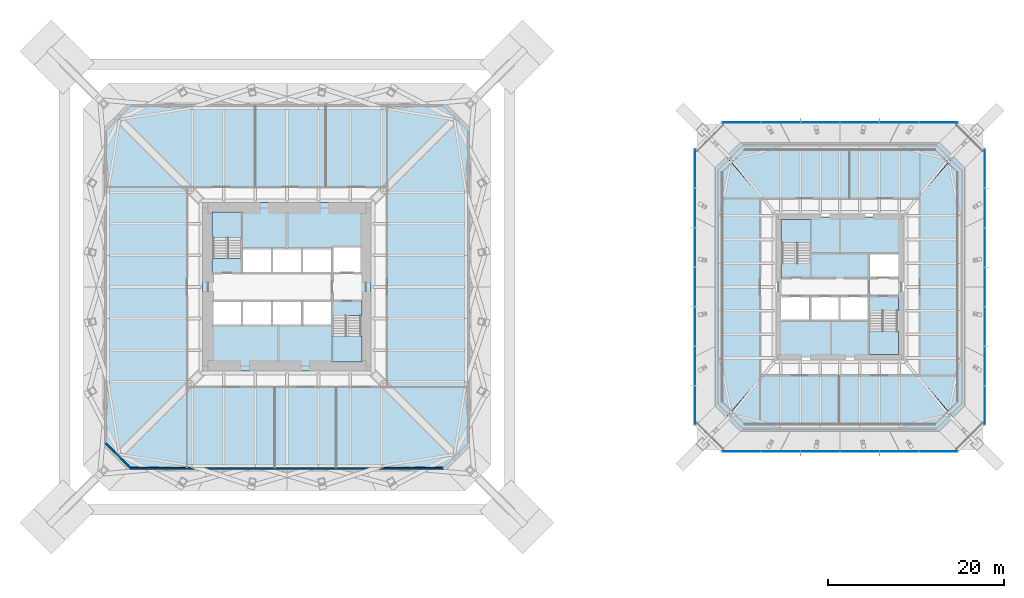
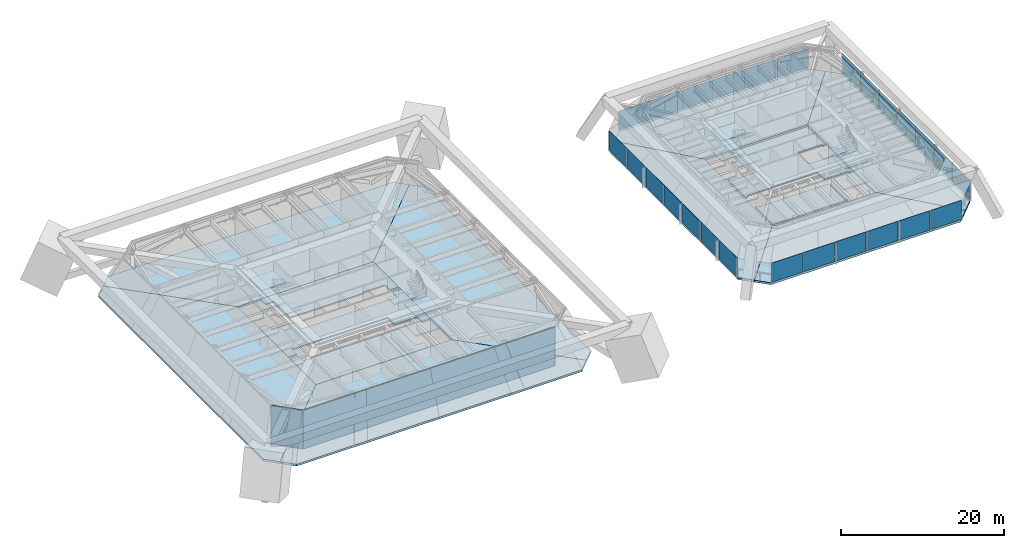
# One storey, part 8 of 16: 26 plates, 25 slabs, 2 walls, 8 elements without a shape of their own.
"""IFC4 building model written with IfcOpenShell, lengths in metres."""

from ifc_helpers import new_model, si_unit, direction, frame, frame_2d, origin, origin_2d, place, context, subcontext, project, spatial, polyline, rectangle, outline, extrude, material, layer, layer_set, constituent, constituent_set, type_object, element, aggregate, save


model = new_model("IFC4")

# Units and contexts
model_context = context("Model", 3, precision=1e-05, world=origin(), true_north=direction((0.0, 1.0)))
body_context = subcontext(model_context, "Body", "Model", "MODEL_VIEW")
ifc_project = project(units=[si_unit("LENGTHUNIT", "METRE"), si_unit("AREAUNIT", "SQUARE_METRE"), si_unit("VOLUMEUNIT", "CUBIC_METRE"), si_unit("PLANEANGLEUNIT", "RADIAN"), si_unit("MASSUNIT", "GRAM", prefix="KILO")], contexts=[model_context])

# Site, building, storey
site_placement = place(None, origin())
site = spatial("IfcSite", under=ifc_project, at=site_placement, CompositionType="ELEMENT")
building_placement = place(site_placement, origin())
building = spatial("IfcBuilding", under=site, at=building_placement, Name="Iwan Alto Co-Living Towers", CompositionType="ELEMENT")
storey_placement = place(building_placement, frame((0.0, 0.0, 74.5)))
storey = spatial("IfcBuildingStorey", under=building, at=storey_placement, Name="L20", CompositionType="ELEMENT", Elevation=74.5)

# Slabs
ifc_material_1 = material(Name="Concrete f'c 30 MPa", Category="concrete")
ifc_layer_1 = layer(ifc_material_1, 0.199951171875)
ifc_layer_set_1 = layer_set([ifc_layer_1], Name="CORE FLOOR SLAB 200")
slab_type_1 = type_object("IfcSlabType", Name="CORE FLOOR SLAB 200", PredefinedType="FLOOR", material=ifc_layer_set_1)
slab_1_placement = place(storey_placement, frame((0.0, 0.0, -0.199951171875)))
element("IfcSlab", 1, at=slab_1_placement, inside=storey, type_object=slab_type_1, Name="T1 core floor and outrigger diaphragm L20", PredefinedType="FLOOR", context=body_context, shape_type="SweptSolid", body=[
    extrude(outline(polyline([(8.39990234375, -3.27001953125), (5.14990234375, -3.27001953125), (5.14990234375, -1.60009765625), (1.72509765625, -1.60009765625), (-1.699951171875, -1.60009765625), (-5.125, -1.60009765625), (-8.39990234375, -1.60009765625), (-8.39990234375, -2.81005859375), (-9.60009765625, -2.81005859375), (-9.60009765625, 4.47998046875), (-8.39990234375, 4.47998046875), (-8.39990234375, 3.27001953125), (-5.14990234375, 3.27001953125), (-5.14990234375, 1.60009765625), (-1.717041015625, 1.60009765625), (1.717041015625, 1.60009765625), (5.14990234375, 1.60009765625), (8.39990234375, 1.60009765625), (8.39990234375, 2.81005859375), (9.60009765625, 2.81005859375), (9.60009765625, -4.47998046875), (8.39990234375, -4.47998046875), (8.39990234375, -3.27001953125)])), origin(), (0.0, 0.0, 1.0), 0.199951171875),
])
slab_2_placement = place(storey_placement, frame((0.0, 0.0, -0.199951171875)))
element("IfcSlab", 2, at=slab_2_placement, inside=storey, type_object=slab_type_1, Name="T1 core floor and outrigger diaphragm L20", PredefinedType="FLOOR", context=body_context, shape_type="SweptSolid", body=[
    extrude(outline(polyline([(-1.699951171875, -4.39990234375), (1.72509765625, -4.39990234375), (5.14990234375, -4.39990234375), (5.14990234375, -8.39990234375), (6.360107421875, -8.39990234375), (6.360107421875, -9.60009765625), (-9.60009765625, -9.60009765625), (-9.60009765625, -3.18994140625), (-8.39990234375, -3.18994140625), (-8.39990234375, -4.39990234375), (-5.125, -4.39990234375), (-1.699951171875, -4.39990234375)])), origin(), (0.0, 0.0, 1.0), 0.199951171875),
])
slab_3_placement = place(storey_placement, frame((0.0, 0.0, -0.199951171875)))
element("IfcSlab", 3, at=slab_3_placement, inside=storey, type_object=slab_type_1, Name="T1 core floor and outrigger diaphragm L20", PredefinedType="FLOOR", context=body_context, shape_type="SweptSolid", body=[
    extrude(outline(polyline([(1.717041015625, 4.39990234375), (-1.717041015625, 4.39990234375), (-5.14990234375, 4.39990234375), (-5.14990234375, 8.39990234375), (-6.360107421875, 8.39990234375), (-6.360107421875, 9.60009765625), (9.60009765625, 9.60009765625), (9.60009765625, 3.389892578125), (8.39990234375, 3.389892578125), (8.39990234375, 4.60009765625), (5.14990234375, 4.60009765625), (5.14990234375, 4.39990234375), (1.717041015625, 4.39990234375)])), origin(), (0.0, 0.0, 1.0), 0.199951171875),
])
slab_4_placement = place(storey_placement, frame((0.0, 0.0, -0.199951171875)))
element("IfcSlab", 4, at=slab_4_placement, inside=storey, type_object=slab_type_1, Name="T2 core floor L20", PredefinedType="FLOOR", context=body_context, shape_type="SweptSolid", body=[
    extrude(outline(polyline([(70.0, -3.030029296875), (69.699951171875, -3.030029296875), (69.699951171875, -2.719970703125), (66.300048828125, -2.719970703125), (66.300048828125, -1.050048828125), (62.967041015625, -1.050048828125), (59.633056640625, -1.050048828125), (56.300048828125, -1.050048828125), (56.300048828125, -1.360107421875), (56.0, -1.360107421875), (56.0, 3.030029296875), (56.300048828125, 3.030029296875), (56.300048828125, 2.719970703125), (59.699951171875, 2.719970703125), (59.699951171875, 7.699951171875), (59.389892578125, 7.699951171875), (59.389892578125, 8.0), (70.0, 8.0), (70.0, 3.5400390625), (69.699951171875, 3.5400390625), (69.699951171875, 3.85009765625), (66.300048828125, 3.85009765625), (66.300048828125, 1.050048828125), (69.699951171875, 1.050048828125), (69.699951171875, 1.360107421875), (70.0, 1.360107421875), (70.0, -3.030029296875)])), origin(), (0.0, 0.0, 1.0), 0.199951171875),
])
slab_5_placement = place(storey_placement, frame((0.0, 0.0, -0.199951171875)))
element("IfcSlab", 5, at=slab_5_placement, inside=storey, type_object=slab_type_1, Name="T2 core floor L20", PredefinedType="FLOOR", context=body_context, shape_type="SweptSolid", body=[
    extrude(outline(polyline([(62.967041015625, -3.85009765625), (66.300048828125, -3.85009765625), (66.300048828125, -7.699951171875), (66.610107421875, -7.699951171875), (66.610107421875, -8.0), (56.0, -8.0), (56.0, -3.5400390625), (56.300048828125, -3.5400390625), (56.300048828125, -3.85009765625), (59.633056640625, -3.85009765625), (62.967041015625, -3.85009765625)])), origin(), (0.0, 0.0, 1.0), 0.199951171875),
])

# Curtain wall, plates
ifc_material_2 = material(Name="Bronze aluminium unitised frame", Category="aluminium")
curtain_wall_type = type_object("IfcCurtainWallType", Name="CURTAIN WALL CW-C", PredefinedType="NOTDEFINED", material=ifc_material_2)
curtain_wall_1_placement = place(storey_placement, origin())
curtain_wall_1 = element("IfcCurtainWall", 6, at=curtain_wall_1_placement, inside=storey, type_object=curtain_wall_type, Name="T2 curtain wall S L20", PredefinedType="NOTDEFINED")
ifc_material_3 = material(Name="Bronze-tinted insulating glass", Category="glass")
ifc_layer_2 = layer(ifc_material_3, 0.031982421875)
ifc_layer_set_2 = layer_set([ifc_layer_2], Name="CW-C PANEL TINTED IGU 32")
plate_type = type_object("IfcPlateType", Name="CW-C PANEL TINTED IGU 32", PredefinedType="CURTAIN_PANEL", material=ifc_layer_set_2)
plate_1_placement = place(storey_placement, frame((51.77001953125, -18.75, 0.10009765625), z_axis=(0.0, 0.0, 1.0), x_axis=(1.0, 0.0, 0.0)))
plate_1 = element("IfcPlate", 7, at=plate_1_placement, type_object=plate_type, Name="CW-C panel 1.1", PredefinedType="CURTAIN_PANEL", context=body_context, shape_type="SweptSolid", body=[
    extrude(rectangle(XDim=4.3798828125, YDim=0.031982421875, at=origin_2d()), origin(), (0.0, 0.0, 1.0), 2.89990234375),
])
plate_2_placement = place(storey_placement, frame((56.25, -18.75, 0.10009765625), z_axis=(0.0, 0.0, 1.0), x_axis=(1.0, 0.0, 0.0)))
plate_2 = element("IfcPlate", 8, at=plate_2_placement, type_object=plate_type, Name="CW-C panel 2.1", PredefinedType="CURTAIN_PANEL", context=body_context, shape_type="SweptSolid", body=[
    extrude(rectangle(XDim=4.419921875, YDim=0.031982421875, at=origin_2d()), origin(), (0.0, 0.0, 1.0), 2.89990234375),
])
plate_3_placement = place(storey_placement, frame((60.75, -18.75, 0.10009765625), z_axis=(0.0, 0.0, 1.0), x_axis=(1.0, 0.0, 0.0)))
plate_3 = element("IfcPlate", 9, at=plate_3_placement, type_object=plate_type, Name="CW-C panel 3.1", PredefinedType="CURTAIN_PANEL", context=body_context, shape_type="SweptSolid", body=[
    extrude(rectangle(XDim=4.419921875, YDim=0.031982421875, at=origin_2d()), origin(), (0.0, 0.0, 1.0), 2.89990234375),
])
plate_4_placement = place(storey_placement, frame((65.25, -18.75, 0.10009765625), z_axis=(0.0, 0.0, 1.0), x_axis=(1.0, 0.0, 0.0)))
plate_4 = element("IfcPlate", 10, at=plate_4_placement, type_object=plate_type, Name="CW-C panel 4.1", PredefinedType="CURTAIN_PANEL", context=body_context, shape_type="SweptSolid", body=[
    extrude(rectangle(XDim=4.419921875, YDim=0.031982421875, at=origin_2d()), origin(), (0.0, 0.0, 1.0), 2.89990234375),
])
plate_5_placement = place(storey_placement, frame((69.75, -18.75, 0.10009765625), z_axis=(0.0, 0.0, 1.0), x_axis=(1.0, 0.0, 0.0)))
plate_5 = element("IfcPlate", 11, at=plate_5_placement, type_object=plate_type, Name="CW-C panel 5.1", PredefinedType="CURTAIN_PANEL", context=body_context, shape_type="SweptSolid", body=[
    extrude(rectangle(XDim=4.419921875, YDim=0.031982421875, at=origin_2d()), origin(), (0.0, 0.0, 1.0), 2.89990234375),
])
plate_6_placement = place(storey_placement, frame((74.22998046875, -18.75, 0.10009765625), z_axis=(0.0, 0.0, 1.0), x_axis=(1.0, 0.0, 0.0)))
plate_6 = element("IfcPlate", 12, at=plate_6_placement, type_object=plate_type, Name="CW-C panel 6.1", PredefinedType="CURTAIN_PANEL", context=body_context, shape_type="SweptSolid", body=[
    extrude(rectangle(XDim=4.3798828125, YDim=0.031982421875, at=origin_2d()), origin(), (0.0, 0.0, 1.0), 2.89990234375),
])
aggregate(curtain_wall_1, [plate_1, plate_2, plate_3, plate_4, plate_5, plate_6])

curtain_wall_2_placement = place(storey_placement, origin())
curtain_wall_2 = element("IfcCurtainWall", 13, at=curtain_wall_2_placement, inside=storey, type_object=curtain_wall_type, Name="T2 curtain wall E L20", PredefinedType="NOTDEFINED")
plate_7_placement = place(storey_placement, frame((79.5, -13.47998046875, 0.10009765625), z_axis=(0.0, 0.0, 1.0), x_axis=(0.0, 1.0, 0.0)))
plate_7 = element("IfcPlate", 14, at=plate_7_placement, type_object=plate_type, Name="CW-C panel 1.1", PredefinedType="CURTAIN_PANEL", context=body_context, shape_type="SweptSolid", body=[
    extrude(rectangle(XDim=4.3798828125, YDim=0.031982421875, at=origin_2d()), origin(), (0.0, 0.0, 1.0), 2.89990234375),
])
plate_8_placement = place(storey_placement, frame((79.5, -9.0, 0.10009765625), z_axis=(0.0, 0.0, 1.0), x_axis=(0.0, 1.0, 0.0)))
plate_8 = element("IfcPlate", 15, at=plate_8_placement, type_object=plate_type, Name="CW-C panel 2.1", PredefinedType="CURTAIN_PANEL", context=body_context, shape_type="SweptSolid", body=[
    extrude(rectangle(XDim=4.419921875, YDim=0.031982421875, at=origin_2d()), origin(), (0.0, 0.0, 1.0), 2.89990234375),
])
plate_9_placement = place(storey_placement, frame((79.5, -4.5, 0.10009765625), z_axis=(0.0, 0.0, 1.0), x_axis=(0.0, 1.0, 0.0)))
plate_9 = element("IfcPlate", 16, at=plate_9_placement, type_object=plate_type, Name="CW-C panel 3.1", PredefinedType="CURTAIN_PANEL", context=body_context, shape_type="SweptSolid", body=[
    extrude(rectangle(XDim=4.419921875, YDim=0.031982421875, at=origin_2d()), origin(), (0.0, 0.0, 1.0), 2.89990234375),
])
plate_10_placement = place(storey_placement, frame((79.5, 0.0, 0.10009765625), z_axis=(0.0, 0.0, 1.0), x_axis=(0.0, 1.0, 0.0)))
plate_10 = element("IfcPlate", 17, at=plate_10_placement, type_object=plate_type, Name="CW-C panel 4.1", PredefinedType="CURTAIN_PANEL", context=body_context, shape_type="SweptSolid", body=[
    extrude(rectangle(XDim=4.419921875, YDim=0.031982421875, at=origin_2d()), origin(), (0.0, 0.0, 1.0), 2.89990234375),
])
plate_11_placement = place(storey_placement, frame((79.5, 4.5, 0.10009765625), z_axis=(0.0, 0.0, 1.0), x_axis=(0.0, 1.0, 0.0)))
plate_11 = element("IfcPlate", 18, at=plate_11_placement, type_object=plate_type, Name="CW-C panel 5.1", PredefinedType="CURTAIN_PANEL", context=body_context, shape_type="SweptSolid", body=[
    extrude(rectangle(XDim=4.419921875, YDim=0.031982421875, at=origin_2d()), origin(), (0.0, 0.0, 1.0), 2.89990234375),
])
plate_12_placement = place(storey_placement, frame((79.5, 9.0, 0.10009765625), z_axis=(0.0, 0.0, 1.0), x_axis=(0.0, 1.0, 0.0)))
plate_12 = element("IfcPlate", 19, at=plate_12_placement, type_object=plate_type, Name="CW-C panel 6.1", PredefinedType="CURTAIN_PANEL", context=body_context, shape_type="SweptSolid", body=[
    extrude(rectangle(XDim=4.419921875, YDim=0.031982421875, at=origin_2d()), origin(), (0.0, 0.0, 1.0), 2.89990234375),
])
plate_13_placement = place(storey_placement, frame((79.5, 13.47998046875, 0.10009765625), z_axis=(0.0, 0.0, 1.0), x_axis=(0.0, 1.0, 0.0)))
plate_13 = element("IfcPlate", 20, at=plate_13_placement, type_object=plate_type, Name="CW-C panel 7.1", PredefinedType="CURTAIN_PANEL", context=body_context, shape_type="SweptSolid", body=[
    extrude(rectangle(XDim=4.3798828125, YDim=0.031982421875, at=origin_2d()), origin(), (0.0, 0.0, 1.0), 2.89990234375),
])
aggregate(curtain_wall_2, [plate_7, plate_8, plate_9, plate_10, plate_11, plate_12, plate_13])

curtain_wall_3_placement = place(storey_placement, origin())
curtain_wall_3 = element("IfcCurtainWall", 21, at=curtain_wall_3_placement, inside=storey, type_object=curtain_wall_type, Name="T2 curtain wall N L20", PredefinedType="NOTDEFINED")
plate_14_placement = place(storey_placement, frame((74.22998046875, 18.75, 0.10009765625), z_axis=(0.0, 0.0, 1.0), x_axis=(-1.0, 0.0, 0.0)))
plate_14 = element("IfcPlate", 22, at=plate_14_placement, type_object=plate_type, Name="CW-C panel 1.1", PredefinedType="CURTAIN_PANEL", context=body_context, shape_type="SweptSolid", body=[
    extrude(rectangle(XDim=4.3798828125, YDim=0.031982421875, at=origin_2d()), origin(), (0.0, 0.0, 1.0), 2.89990234375),
])
plate_15_placement = place(storey_placement, frame((69.75, 18.75, 0.10009765625), z_axis=(0.0, 0.0, 1.0), x_axis=(-1.0, 0.0, 0.0)))
plate_15 = element("IfcPlate", 23, at=plate_15_placement, type_object=plate_type, Name="CW-C panel 2.1", PredefinedType="CURTAIN_PANEL", context=body_context, shape_type="SweptSolid", body=[
    extrude(rectangle(XDim=4.419921875, YDim=0.031982421875, at=origin_2d()), origin(), (0.0, 0.0, 1.0), 2.89990234375),
])
plate_16_placement = place(storey_placement, frame((65.25, 18.75, 0.10009765625), z_axis=(0.0, 0.0, 1.0), x_axis=(-1.0, 0.0, 0.0)))
plate_16 = element("IfcPlate", 24, at=plate_16_placement, type_object=plate_type, Name="CW-C panel 3.1", PredefinedType="CURTAIN_PANEL", context=body_context, shape_type="SweptSolid", body=[
    extrude(rectangle(XDim=4.419921875, YDim=0.031982421875, at=origin_2d()), origin(), (0.0, 0.0, 1.0), 2.89990234375),
])
plate_17_placement = place(storey_placement, frame((60.75, 18.75, 0.10009765625), z_axis=(0.0, 0.0, 1.0), x_axis=(-1.0, 0.0, 0.0)))
plate_17 = element("IfcPlate", 25, at=plate_17_placement, type_object=plate_type, Name="CW-C panel 4.1", PredefinedType="CURTAIN_PANEL", context=body_context, shape_type="SweptSolid", body=[
    extrude(rectangle(XDim=4.419921875, YDim=0.031982421875, at=origin_2d()), origin(), (0.0, 0.0, 1.0), 2.89990234375),
])
plate_18_placement = place(storey_placement, frame((56.25, 18.75, 0.10009765625), z_axis=(0.0, 0.0, 1.0), x_axis=(-1.0, 0.0, 0.0)))
plate_18 = element("IfcPlate", 26, at=plate_18_placement, type_object=plate_type, Name="CW-C panel 5.1", PredefinedType="CURTAIN_PANEL", context=body_context, shape_type="SweptSolid", body=[
    extrude(rectangle(XDim=4.419921875, YDim=0.031982421875, at=origin_2d()), origin(), (0.0, 0.0, 1.0), 2.89990234375),
])
plate_19_placement = place(storey_placement, frame((51.77001953125, 18.75, 0.10009765625), z_axis=(0.0, 0.0, 1.0), x_axis=(-1.0, 0.0, 0.0)))
plate_19 = element("IfcPlate", 27, at=plate_19_placement, type_object=plate_type, Name="CW-C panel 6.1", PredefinedType="CURTAIN_PANEL", context=body_context, shape_type="SweptSolid", body=[
    extrude(rectangle(XDim=4.3798828125, YDim=0.031982421875, at=origin_2d()), origin(), (0.0, 0.0, 1.0), 2.89990234375),
])
aggregate(curtain_wall_3, [plate_14, plate_15, plate_16, plate_17, plate_18, plate_19])

curtain_wall_4_placement = place(storey_placement, origin())
curtain_wall_4 = element("IfcCurtainWall", 28, at=curtain_wall_4_placement, inside=storey, type_object=curtain_wall_type, Name="T2 curtain wall W L20", PredefinedType="NOTDEFINED")
plate_20_placement = place(storey_placement, frame((46.5, 13.47998046875, 0.10009765625), z_axis=(0.0, 0.0, 1.0), x_axis=(0.0, -1.0, 0.0)))
plate_20 = element("IfcPlate", 29, at=plate_20_placement, type_object=plate_type, Name="CW-C panel 1.1", PredefinedType="CURTAIN_PANEL", context=body_context, shape_type="SweptSolid", body=[
    extrude(rectangle(XDim=4.3798828125, YDim=0.031982421875, at=origin_2d()), origin(), (0.0, 0.0, 1.0), 2.89990234375),
])
plate_21_placement = place(storey_placement, frame((46.5, 9.0, 0.10009765625), z_axis=(0.0, 0.0, 1.0), x_axis=(0.0, -1.0, 0.0)))
plate_21 = element("IfcPlate", 30, at=plate_21_placement, type_object=plate_type, Name="CW-C panel 2.1", PredefinedType="CURTAIN_PANEL", context=body_context, shape_type="SweptSolid", body=[
    extrude(rectangle(XDim=4.419921875, YDim=0.031982421875, at=origin_2d()), origin(), (0.0, 0.0, 1.0), 2.89990234375),
])
plate_22_placement = place(storey_placement, frame((46.5, 4.5, 0.10009765625), z_axis=(0.0, 0.0, 1.0), x_axis=(0.0, -1.0, 0.0)))
plate_22 = element("IfcPlate", 31, at=plate_22_placement, type_object=plate_type, Name="CW-C panel 3.1", PredefinedType="CURTAIN_PANEL", context=body_context, shape_type="SweptSolid", body=[
    extrude(rectangle(XDim=4.419921875, YDim=0.031982421875, at=origin_2d()), origin(), (0.0, 0.0, 1.0), 2.89990234375),
])
plate_23_placement = place(storey_placement, frame((46.5, 0.0, 0.10009765625), z_axis=(0.0, 0.0, 1.0), x_axis=(0.0, -1.0, 0.0)))
plate_23 = element("IfcPlate", 32, at=plate_23_placement, type_object=plate_type, Name="CW-C panel 4.1", PredefinedType="CURTAIN_PANEL", context=body_context, shape_type="SweptSolid", body=[
    extrude(rectangle(XDim=4.419921875, YDim=0.031982421875, at=origin_2d()), origin(), (0.0, 0.0, 1.0), 2.89990234375),
])
plate_24_placement = place(storey_placement, frame((46.5, -4.5, 0.10009765625), z_axis=(0.0, 0.0, 1.0), x_axis=(0.0, -1.0, 0.0)))
plate_24 = element("IfcPlate", 33, at=plate_24_placement, type_object=plate_type, Name="CW-C panel 5.1", PredefinedType="CURTAIN_PANEL", context=body_context, shape_type="SweptSolid", body=[
    extrude(rectangle(XDim=4.419921875, YDim=0.031982421875, at=origin_2d()), origin(), (0.0, 0.0, 1.0), 2.89990234375),
])
plate_25_placement = place(storey_placement, frame((46.5, -9.0, 0.10009765625), z_axis=(0.0, 0.0, 1.0), x_axis=(0.0, -1.0, 0.0)))
plate_25 = element("IfcPlate", 34, at=plate_25_placement, type_object=plate_type, Name="CW-C panel 6.1", PredefinedType="CURTAIN_PANEL", context=body_context, shape_type="SweptSolid", body=[
    extrude(rectangle(XDim=4.419921875, YDim=0.031982421875, at=origin_2d()), origin(), (0.0, 0.0, 1.0), 2.89990234375),
])
plate_26_placement = place(storey_placement, frame((46.5, -13.47998046875, 0.10009765625), z_axis=(0.0, 0.0, 1.0), x_axis=(0.0, -1.0, 0.0)))
plate_26 = element("IfcPlate", 35, at=plate_26_placement, type_object=plate_type, Name="CW-C panel 7.1", PredefinedType="CURTAIN_PANEL", context=body_context, shape_type="SweptSolid", body=[
    extrude(rectangle(XDim=4.3798828125, YDim=0.031982421875, at=origin_2d()), origin(), (0.0, 0.0, 1.0), 2.89990234375),
])
aggregate(curtain_wall_4, [plate_20, plate_21, plate_22, plate_23, plate_24, plate_25, plate_26])

# Stair, slabs
ifc_material_4 = material(Name="Steel ASTM A36", Category="steel")
ifc_constituent_1 = constituent(ifc_material_4, Name="Stringers", Category="LoadBearing")
ifc_material_5 = material(Name="Concrete f'c 30 MPa", Category="concrete")
ifc_constituent_2 = constituent(ifc_material_5, Name="Tread fill", Category="Finish")
ifc_constituent_set_1 = constituent_set(constituents=[ifc_constituent_1, ifc_constituent_2], Name="STAIR 6000 FOUR-FLIGHT T1 CORE")
stair_type_1 = type_object("IfcStairType", Name="STAIR 6000 FOUR-FLIGHT T1 CORE", PredefinedType="HALF_TURN_STAIR", material=ifc_constituent_set_1)
stair_1_placement = place(storey_placement, origin())
stair_1 = element("IfcStair", 36, at=stair_1_placement, inside=storey, type_object=stair_type_1, Name="Stair T1-S1 L20 to L21", PredefinedType="HALF_TURN_STAIR")
ifc_material_6 = material(Name="Concrete f'c 30 MPa", Category="concrete")
ifc_layer_3 = layer(ifc_material_6, 0.199951171875)
ifc_layer_set_3 = layer_set([ifc_layer_3], Name="STAIR LANDING 200")
slab_type_2 = type_object("IfcSlabType", Name="STAIR LANDING 200", PredefinedType="LANDING", material=ifc_layer_set_3)
slab_6_placement = place(storey_placement, frame((0.0, 0.0, 1.300048828125)))
slab_6 = element("IfcSlab", 37, at=slab_6_placement, type_object=slab_type_2, Name="T1-S1 landing 1", PredefinedType="LANDING", context=body_context, shape_type="SweptSolid", body=[
    extrude(outline(polyline([(-8.550048828125, 5.570068359375), (-8.550048828125, 8.550048828125), (-5.14990234375, 8.550048828125), (-5.14990234375, 5.570068359375), (-8.550048828125, 5.570068359375)])), origin(), (0.0, 0.0, 1.0), 0.199951171875),
])
slab_7_placement = place(storey_placement, frame((0.0, 0.0, 2.800048828125)))
slab_7 = element("IfcSlab", 38, at=slab_7_placement, type_object=slab_type_2, Name="T1-S1 landing 2", PredefinedType="LANDING", context=body_context, shape_type="SweptSolid", body=[
    extrude(outline(polyline([(-8.550048828125, 1.60009765625), (-8.550048828125, 3.27001953125), (-5.14990234375, 3.27001953125), (-5.14990234375, 1.60009765625), (-8.550048828125, 1.60009765625)])), origin(), (0.0, 0.0, 1.0), 0.199951171875),
])
slab_8_placement = place(storey_placement, frame((0.0, 0.0, 4.300048828125)))
slab_8 = element("IfcSlab", 39, at=slab_8_placement, type_object=slab_type_2, Name="T1-S1 landing 3", PredefinedType="LANDING", context=body_context, shape_type="SweptSolid", body=[
    extrude(outline(polyline([(-8.550048828125, 5.570068359375), (-8.550048828125, 8.550048828125), (-5.14990234375, 8.550048828125), (-5.14990234375, 5.570068359375), (-8.550048828125, 5.570068359375)])), origin(), (0.0, 0.0, 1.0), 0.199951171875),
])
aggregate(stair_1, [slab_6, slab_7, slab_8])

stair_2_placement = place(storey_placement, origin())
stair_2 = element("IfcStair", 40, at=stair_2_placement, inside=storey, type_object=stair_type_1, Name="Stair T1-S2 L20 to L21", PredefinedType="HALF_TURN_STAIR")
slab_9_placement = place(storey_placement, frame((0.0, 0.0, 1.300048828125)))
slab_9 = element("IfcSlab", 41, at=slab_9_placement, type_object=slab_type_2, Name="T1-S2 landing 1", PredefinedType="LANDING", context=body_context, shape_type="SweptSolid", body=[
    extrude(outline(polyline([(5.14990234375, -5.570068359375), (5.14990234375, -8.550048828125), (8.550048828125, -8.550048828125), (8.550048828125, -5.570068359375), (5.14990234375, -5.570068359375)])), origin(), (0.0, 0.0, 1.0), 0.199951171875),
])
slab_10_placement = place(storey_placement, frame((0.0, 0.0, 2.800048828125)))
slab_10 = element("IfcSlab", 42, at=slab_10_placement, type_object=slab_type_2, Name="T1-S2 landing 2", PredefinedType="LANDING", context=body_context, shape_type="SweptSolid", body=[
    extrude(outline(polyline([(5.14990234375, -1.60009765625), (5.14990234375, -3.27001953125), (8.550048828125, -3.27001953125), (8.550048828125, -1.60009765625), (5.14990234375, -1.60009765625)])), origin(), (0.0, 0.0, 1.0), 0.199951171875),
])
slab_11_placement = place(storey_placement, frame((0.0, 0.0, 4.300048828125)))
slab_11 = element("IfcSlab", 43, at=slab_11_placement, type_object=slab_type_2, Name="T1-S2 landing 3", PredefinedType="LANDING", context=body_context, shape_type="SweptSolid", body=[
    extrude(outline(polyline([(5.14990234375, -5.570068359375), (5.14990234375, -8.550048828125), (8.550048828125, -8.550048828125), (8.550048828125, -5.570068359375), (5.14990234375, -5.570068359375)])), origin(), (0.0, 0.0, 1.0), 0.199951171875),
])
aggregate(stair_2, [slab_9, slab_10, slab_11])

ifc_constituent_3 = constituent(ifc_material_4, Name="Stringers", Category="LoadBearing")
ifc_constituent_4 = constituent(ifc_material_5, Name="Tread fill", Category="Finish")
ifc_constituent_set_2 = constituent_set(constituents=[ifc_constituent_3, ifc_constituent_4], Name="STAIR 6000 FOUR-FLIGHT T2 CORE")
stair_type_2 = type_object("IfcStairType", Name="STAIR 6000 FOUR-FLIGHT T2 CORE", PredefinedType="HALF_TURN_STAIR", material=ifc_constituent_set_2)
stair_3_placement = place(storey_placement, origin())
stair_3 = element("IfcStair", 44, at=stair_3_placement, inside=storey, type_object=stair_type_2, Name="Stair T2-S1 L20 to L21", PredefinedType="HALF_TURN_STAIR")
slab_12_placement = place(storey_placement, frame((0.0, 0.0, 1.300048828125)))
slab_12 = element("IfcSlab", 45, at=slab_12_placement, type_object=slab_type_2, Name="T2-S1 landing 1", PredefinedType="LANDING", context=body_context, shape_type="SweptSolid", body=[
    extrude(outline(polyline([(56.300048828125, 5.02001953125), (56.300048828125, 7.699951171875), (59.699951171875, 7.699951171875), (59.699951171875, 5.02001953125), (56.300048828125, 5.02001953125)])), origin(), (0.0, 0.0, 1.0), 0.199951171875),
])
slab_13_placement = place(storey_placement, frame((0.0, 0.0, 2.800048828125)))
slab_13 = element("IfcSlab", 46, at=slab_13_placement, type_object=slab_type_2, Name="T2-S1 landing 2", PredefinedType="LANDING", context=body_context, shape_type="SweptSolid", body=[
    extrude(outline(polyline([(56.300048828125, 1.050048828125), (56.300048828125, 2.719970703125), (59.699951171875, 2.719970703125), (59.699951171875, 1.050048828125), (56.300048828125, 1.050048828125)])), origin(), (0.0, 0.0, 1.0), 0.199951171875),
])
slab_14_placement = place(storey_placement, frame((0.0, 0.0, 4.300048828125)))
slab_14 = element("IfcSlab", 47, at=slab_14_placement, type_object=slab_type_2, Name="T2-S1 landing 3", PredefinedType="LANDING", context=body_context, shape_type="SweptSolid", body=[
    extrude(outline(polyline([(56.300048828125, 5.02001953125), (56.300048828125, 7.699951171875), (59.699951171875, 7.699951171875), (59.699951171875, 5.02001953125), (56.300048828125, 5.02001953125)])), origin(), (0.0, 0.0, 1.0), 0.199951171875),
])
aggregate(stair_3, [slab_12, slab_13, slab_14])

stair_4_placement = place(storey_placement, origin())
stair_4 = element("IfcStair", 48, at=stair_4_placement, inside=storey, type_object=stair_type_2, Name="Stair T2-S2 L20 to L21", PredefinedType="HALF_TURN_STAIR")
slab_15_placement = place(storey_placement, frame((0.0, 0.0, 1.300048828125)))
slab_15 = element("IfcSlab", 49, at=slab_15_placement, type_object=slab_type_2, Name="T2-S2 landing 1", PredefinedType="LANDING", context=body_context, shape_type="SweptSolid", body=[
    extrude(outline(polyline([(66.300048828125, -5.02001953125), (66.300048828125, -7.699951171875), (69.699951171875, -7.699951171875), (69.699951171875, -5.02001953125), (66.300048828125, -5.02001953125)])), origin(), (0.0, 0.0, 1.0), 0.199951171875),
])
slab_16_placement = place(storey_placement, frame((0.0, 0.0, 2.800048828125)))
slab_16 = element("IfcSlab", 50, at=slab_16_placement, type_object=slab_type_2, Name="T2-S2 landing 2", PredefinedType="LANDING", context=body_context, shape_type="SweptSolid", body=[
    extrude(outline(polyline([(66.300048828125, -1.050048828125), (66.300048828125, -2.719970703125), (69.699951171875, -2.719970703125), (69.699951171875, -1.050048828125), (66.300048828125, -1.050048828125)])), origin(), (0.0, 0.0, 1.0), 0.199951171875),
])
slab_17_placement = place(storey_placement, frame((0.0, 0.0, 4.300048828125)))
slab_17 = element("IfcSlab", 51, at=slab_17_placement, type_object=slab_type_2, Name="T2-S2 landing 3", PredefinedType="LANDING", context=body_context, shape_type="SweptSolid", body=[
    extrude(outline(polyline([(66.300048828125, -5.02001953125), (66.300048828125, -7.699951171875), (69.699951171875, -7.699951171875), (69.699951171875, -5.02001953125), (66.300048828125, -5.02001953125)])), origin(), (0.0, 0.0, 1.0), 0.199951171875),
])
aggregate(stair_4, [slab_15, slab_16, slab_17])

# Slabs
ifc_material_7 = material(Name="Concrete f'c 30 MPa", Category="concrete")
ifc_layer_4 = layer(ifc_material_7, 0.300048828125)
ifc_layer_set_4 = layer_set([ifc_layer_4], Name="T1 FLOOR SLAB 300")
slab_type_3 = type_object("IfcSlabType", Name="T1 FLOOR SLAB 300", PredefinedType="FLOOR", material=ifc_layer_set_4)
slab_18_placement = place(storey_placement, frame((0.0, 0.0, -0.300048828125)))
element("IfcSlab", 52, at=slab_18_placement, inside=storey, type_object=slab_type_3, Name="T1 floor slab L20 S pour", PredefinedType="FLOOR", context=body_context, shape_type="SweptSolid", body=[
    extrude(outline(polyline([(20.19140625, -23.14990234375), (-20.19140625, -23.14990234375), (-21.670654296875, -21.670654296875), (-9.60009765625, -9.60009765625), (9.60009765625, -9.60009765625), (21.670654296875, -21.670654296875), (20.19140625, -23.14990234375)])), origin(), (0.0, 0.0, 1.0), 0.300048828125),
])
slab_19_placement = place(storey_placement, frame((0.0, 0.0, -0.300048828125)))
element("IfcSlab", 53, at=slab_19_placement, inside=storey, type_object=slab_type_3, Name="T1 floor slab L20 E pour", PredefinedType="FLOOR", context=body_context, shape_type="SweptSolid", body=[
    extrude(outline(polyline([(23.14990234375, 20.19140625), (23.14990234375, -20.19140625), (21.670654296875, -21.670654296875), (9.60009765625, -9.60009765625), (9.60009765625, 9.60009765625), (21.670654296875, 21.670654296875), (23.14990234375, 20.19140625)])), origin(), (0.0, 0.0, 1.0), 0.300048828125),
])
slab_20_placement = place(storey_placement, frame((0.0, 0.0, -0.300048828125)))
element("IfcSlab", 54, at=slab_20_placement, inside=storey, type_object=slab_type_3, Name="T1 floor slab L20 N pour", PredefinedType="FLOOR", context=body_context, shape_type="SweptSolid", body=[
    extrude(outline(polyline([(-20.19140625, 23.14990234375), (20.19140625, 23.14990234375), (21.670654296875, 21.670654296875), (9.60009765625, 9.60009765625), (-9.60009765625, 9.60009765625), (-21.670654296875, 21.670654296875), (-20.19140625, 23.14990234375)])), origin(), (0.0, 0.0, 1.0), 0.300048828125),
])
slab_21_placement = place(storey_placement, frame((0.0, 0.0, -0.300048828125)))
element("IfcSlab", 55, at=slab_21_placement, inside=storey, type_object=slab_type_3, Name="T1 floor slab L20 W pour", PredefinedType="FLOOR", context=body_context, shape_type="SweptSolid", body=[
    extrude(outline(polyline([(-23.14990234375, 20.19140625), (-21.670654296875, 21.670654296875), (-9.60009765625, 9.60009765625), (-9.60009765625, -9.60009765625), (-21.670654296875, -21.670654296875), (-23.14990234375, -20.19140625), (-23.14990234375, 20.19140625)])), origin(), (0.0, 0.0, 1.0), 0.300048828125),
])
ifc_material_8 = material(Name="Concrete f'c 30 MPa", Category="concrete")
ifc_layer_5 = layer(ifc_material_8, 0.300048828125)
ifc_layer_set_5 = layer_set([ifc_layer_5], Name="T2 FLOOR SLAB 300")
slab_type_4 = type_object("IfcSlabType", Name="T2 FLOOR SLAB 300", PredefinedType="FLOOR", material=ifc_layer_set_5)
slab_22_placement = place(storey_placement, frame((0.0, 0.0, -0.300048828125)))
element("IfcSlab", 56, at=slab_22_placement, inside=storey, type_object=slab_type_4, Name="T2 floor slab L20 S pour", PredefinedType="FLOOR", context=body_context, shape_type="SweptSolid", body=[
    extrude(outline(polyline([(76.44140625, -18.64990234375), (49.55859375, -18.64990234375), (48.07568359375, -17.1669921875), (55.699951171875, -8.300048828125), (70.300048828125, -8.300048828125), (77.92431640625, -17.1669921875), (76.44140625, -18.64990234375)])), origin(), (0.0, 0.0, 1.0), 0.300048828125),
])
slab_23_placement = place(storey_placement, frame((0.0, 0.0, -0.300048828125)))
element("IfcSlab", 57, at=slab_23_placement, inside=storey, type_object=slab_type_4, Name="T2 floor slab L20 E pour", PredefinedType="FLOOR", context=body_context, shape_type="SweptSolid", body=[
    extrude(outline(polyline([(79.39990234375, 15.69140625), (79.39990234375, -15.69140625), (77.92431640625, -17.1669921875), (70.300048828125, -8.300048828125), (70.300048828125, 8.300048828125), (77.92431640625, 17.1669921875), (79.39990234375, 15.69140625)])), origin(), (0.0, 0.0, 1.0), 0.300048828125),
])
slab_24_placement = place(storey_placement, frame((0.0, 0.0, -0.300048828125)))
element("IfcSlab", 58, at=slab_24_placement, inside=storey, type_object=slab_type_4, Name="T2 floor slab L20 N pour", PredefinedType="FLOOR", context=body_context, shape_type="SweptSolid", body=[
    extrude(outline(polyline([(49.55859375, 18.64990234375), (76.44140625, 18.64990234375), (77.92431640625, 17.1669921875), (70.300048828125, 8.300048828125), (55.699951171875, 8.300048828125), (48.07568359375, 17.1669921875), (49.55859375, 18.64990234375)])), origin(), (0.0, 0.0, 1.0), 0.300048828125),
])
slab_25_placement = place(storey_placement, frame((0.0, 0.0, -0.300048828125)))
element("IfcSlab", 59, at=slab_25_placement, inside=storey, type_object=slab_type_4, Name="T2 floor slab L20 W pour", PredefinedType="FLOOR", context=body_context, shape_type="SweptSolid", body=[
    extrude(outline(polyline([(46.60009765625, 15.69140625), (48.07568359375, 17.1669921875), (55.699951171875, 8.300048828125), (55.699951171875, -8.300048828125), (48.07568359375, -17.1669921875), (46.60009765625, -15.69140625), (46.60009765625, 15.69140625)])), origin(), (0.0, 0.0, 1.0), 0.300048828125),
])

# Walls
ifc_material_9 = material(Name="Aluminium 6063-T6 bronze anodised", Category="aluminium")
ifc_layer_6 = layer(ifc_material_9, 0.050048828125, Name="Louvred screen", Category="Finish")
ifc_material_10 = material(Name="Steel ASTM A1003 ST33H cold-formed studs", Category="steel")
ifc_layer_7 = layer(ifc_material_10, 0.14990234375, Name="Studs", Category="Framing")
ifc_layer_set_6 = layer_set([ifc_layer_6, ifc_layer_7], Name="PLANT PLENUM WALL 200")
wall_type = type_object("IfcWallType", Name="PLANT PLENUM WALL 200", PredefinedType="PARTITIONING", material=ifc_layer_set_6)
wall_1_placement = place(storey_placement, frame((-17.794921875, -20.64990234375, 0.0), z_axis=(0.0, 0.0, 1.0), x_axis=(1.0, 0.0, 0.0)))
element("IfcWall", 60, at=wall_1_placement, inside=storey, type_object=wall_type, Name="T1 plant plenum wall L20 1", PredefinedType="PARTITIONING", context=body_context, shape_type="SweptSolid", body=[
    extrude(rectangle(XDim=35.58984375, YDim=0.199951171875, at=frame_2d((17.794921875, 0.0))), origin(), (0.0, 0.0, 1.0), 5.699951171875),
])
wall_2_placement = place(storey_placement, frame((-20.64990234375, -17.794921875, 0.0), z_axis=(0.0, 0.0, 1.0), x_axis=(0.707106781187, -0.707106781187, 0.0)))
element("IfcWall", 61, at=wall_2_placement, inside=storey, type_object=wall_type, Name="T1 plant plenum wall L20 8", PredefinedType="PARTITIONING", context=body_context, shape_type="SweptSolid", body=[
    extrude(rectangle(XDim=4.03759765625, YDim=0.199951171875, at=frame_2d((2.018798828125, 0.0))), origin(), (0.0, 0.0, 1.0), 5.699951171875),
])

save(model, "model.ifc")
